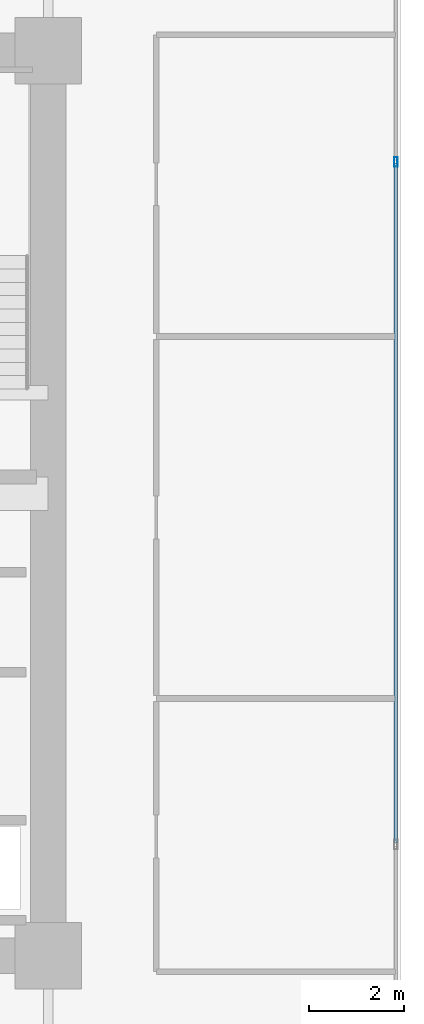
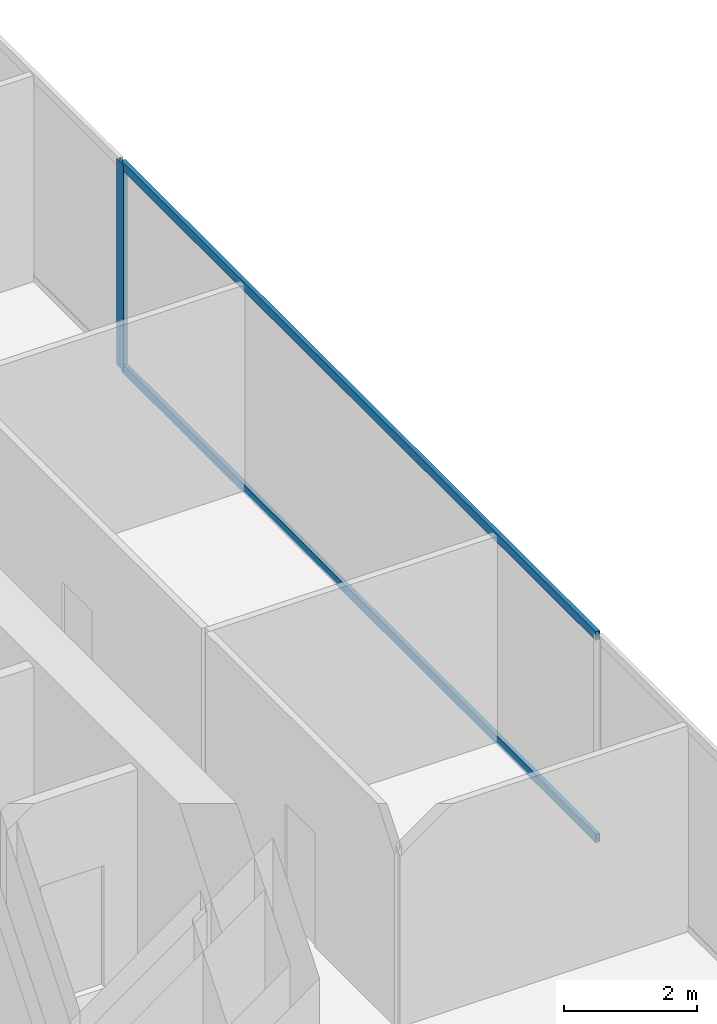
# One storey, part 25 of 35: 3 members, 1 element without a shape of its own.
"""IFC4 building model written with IfcOpenShell, lengths in metres."""

from ifc_helpers import new_model, si_unit, direction, frame, origin, origin_2d, place, context, subcontext, project, spatial, hollow_rectangle, extrude, source, transform, mapped, material, layer, layer_set, material_profile, profile_set, type_object, type_shapes, element, aggregate, save


model = new_model("IFC4")

# Units and contexts
model_context = context("Model", 3, precision=1e-05, world=origin(), true_north=direction((0.0, 1.0)))
body_context = subcontext(model_context, "Body", "Model", "MODEL_VIEW")
ifc_project = project(units=[si_unit("LENGTHUNIT", "METRE"), si_unit("AREAUNIT", "SQUARE_METRE"), si_unit("VOLUMEUNIT", "CUBIC_METRE"), si_unit("PLANEANGLEUNIT", "RADIAN"), si_unit("MASSUNIT", "GRAM", prefix="KILO")], contexts=[model_context])

# Site, building, storey
site_placement = place(None, origin())
site = spatial("IfcSite", under=ifc_project, at=site_placement, CompositionType="ELEMENT")
building_placement = place(site_placement, origin())
building = spatial("IfcBuilding", under=site, at=building_placement, Name="Haelvirn Gate Laboratories", CompositionType="ELEMENT")
storey_placement = place(building_placement, frame((0.0, 0.0, 86.699951171875)))
storey = spatial("IfcBuildingStorey", under=building, at=storey_placement, Name="L21", CompositionType="ELEMENT", Elevation=86.699951171875)

# Curtain wall, members
ifc_material_1 = material(Name="Anodised bronze unitised aluminium & triple low-E glass", Category="aluminium")
ifc_layer = layer(ifc_material_1, 0.18408203125, Name="CW-SYS-2")
ifc_layer_set = layer_set([ifc_layer], Name="Anodised bronze unitised aluminium & triple low-E glass")
curtain_wall_type = type_object("IfcCurtainWallType", Name="CW-SYS-2", PredefinedType="NOTDEFINED", material=ifc_layer_set)
curtain_wall_placement = place(storey_placement, origin())
curtain_wall = element("IfcCurtainWall", 1, at=curtain_wall_placement, inside=storey, type_object=curtain_wall_type, Name="L21 Unitised Curtain Wall CW-L21-P0-E07", PredefinedType="NOTDEFINED")
ifc_material_2 = material(Name="Extruded aluminium 6063-T6 (anodised bronze)", Category="aluminium")
ifc_material_profile_1 = material_profile(ifc_material_2, hollow_rectangle(XDim=0.074951171875, YDim=0.199951171875, WallThickness=0.0048828125, at=origin_2d()), Name="CWM-200x75x5")
ifc_profile_set_1 = profile_set([ifc_material_profile_1], Name="Extruded aluminium 6063-T6 (anodised bronze)")
member_type_1 = type_object("IfcMemberType", Name="CWM-T200", PredefinedType="MULLION", material=ifc_profile_set_1)
shared_shape_1 = source(origin(), body_context, "Body", "SweptSolid", [
    extrude(hollow_rectangle(XDim=0.074951171875, YDim=0.199951171875, WallThickness=0.0048828125, at=origin_2d()), origin(), (0.0, 0.0, 1.0), 3.780029296875),
])
type_shapes(member_type_1, [shared_shape_1])
member_1_placement = place(storey_placement, frame((74.699951171875, 31.466552734375, 0.0), z_axis=(0.0, 0.0, 1.0), x_axis=(-1.0, 0.0, 0.0)))
member_1 = element("IfcMember", 2, at=member_1_placement, type_object=member_type_1, Name="CW2 mullion 3", PredefinedType="MULLION", context=body_context, shape_type="MappedRepresentation", body=[
    mapped(shared_shape_1, transform((0.0, 0.0, 0.0), scale=1.0)),
])
ifc_material_profile_2 = material_profile(ifc_material_2, hollow_rectangle(XDim=0.070068359375, YDim=0.159912109375, WallThickness=0.0048828125, at=origin_2d()), Name="CWT-160x70x5")
ifc_profile_set_2 = profile_set([ifc_material_profile_2], Name="Extruded aluminium 6063-T6 (anodised bronze)")
member_type_2 = type_object("IfcMemberType", Name="CWT-T160", PredefinedType="USERDEFINED", material=ifc_profile_set_2)
shared_shape_2 = source(origin(), body_context, "Body", "SweptSolid", [
    extrude(hollow_rectangle(XDim=0.070068359375, YDim=0.159912109375, WallThickness=0.0048828125, at=origin_2d()), origin(), (0.0, 0.0, 1.0), 14.25830078125),
])
type_shapes(member_type_2, [shared_shape_2])
member_2_placement = place(storey_placement, frame((74.699951171875, 17.1708984375, 0.03515625), z_axis=(0.0, 1.0, 0.0), x_axis=(-1.0, 0.0, 0.0)))
member_2 = element("IfcMember", 3, at=member_2_placement, type_object=member_type_2, Name="CW2 transom 2.1", ObjectType="TRANSOM", PredefinedType="USERDEFINED", context=body_context, shape_type="MappedRepresentation", body=[
    mapped(shared_shape_2, transform((0.0, 0.0, 0.0), scale=1.0)),
])
member_3_placement = place(storey_placement, frame((74.699951171875, 17.1708984375, 3.7451171875), z_axis=(0.0, 1.0, 0.0), x_axis=(-1.0, 0.0, 0.0)))
member_3 = element("IfcMember", 4, at=member_3_placement, type_object=member_type_2, Name="CW2 transom 2.2", ObjectType="TRANSOM", PredefinedType="USERDEFINED", context=body_context, shape_type="MappedRepresentation", body=[
    mapped(shared_shape_2, transform((0.0, 0.0, 0.0), scale=1.0)),
])
aggregate(curtain_wall, [member_1, member_2, member_3])

save(model, "model.ifc")
